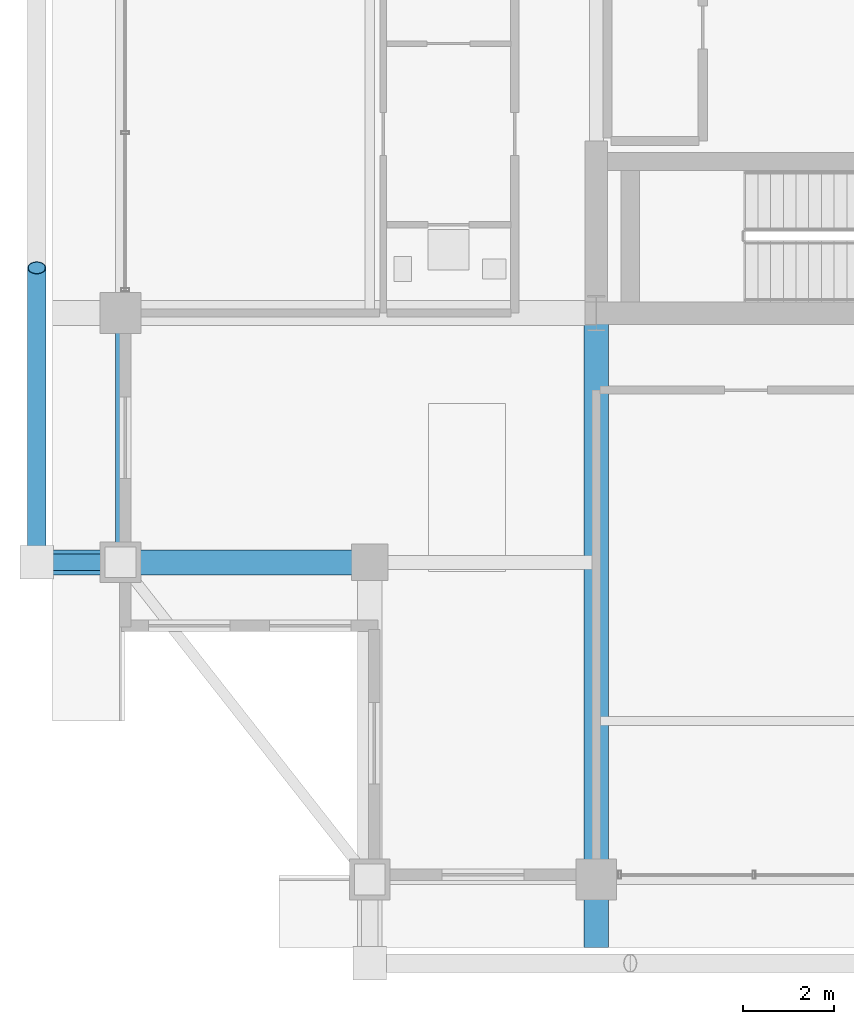
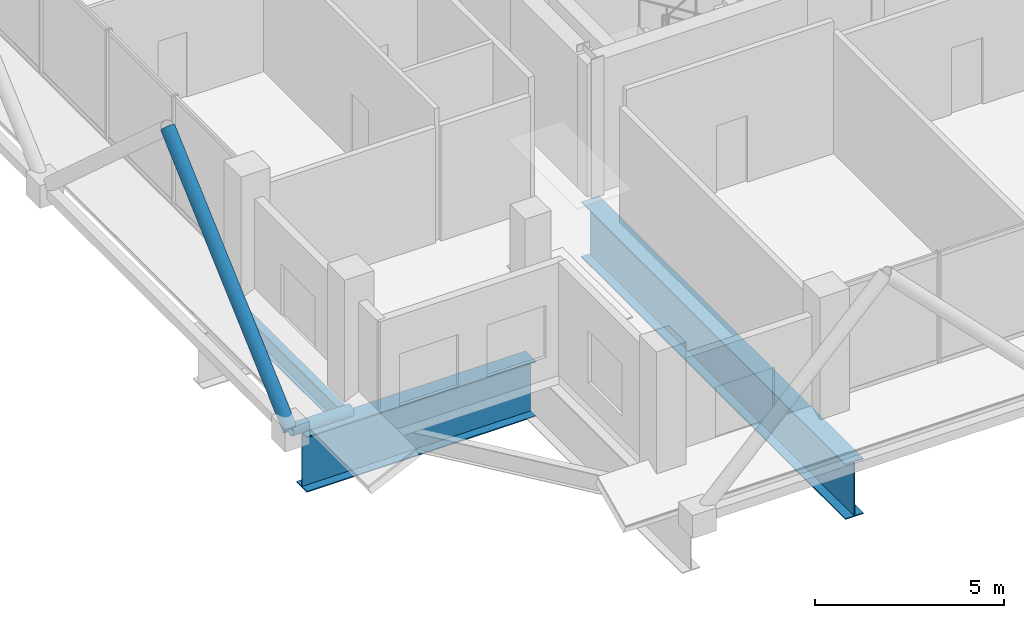
# One storey, part 3 of 27: 3 beams, 2 members.
"""IFC4 building model written with IfcOpenShell, lengths in metres."""

from ifc_helpers import new_model, si_unit, direction, frame, origin, origin_2d, place, context, subcontext, project, spatial, hollow_circle, i_section, extrude, material, material_profile, profile_set, type_object, element, save


model = new_model("IFC4")

# Units and contexts
model_context = context("Model", 3, precision=1e-05, world=origin(), true_north=direction((0.0, 1.0)))
body_context = subcontext(model_context, "Body", "Model", "MODEL_VIEW")
ifc_project = project(units=[si_unit("LENGTHUNIT", "METRE"), si_unit("AREAUNIT", "SQUARE_METRE"), si_unit("VOLUMEUNIT", "CUBIC_METRE"), si_unit("PLANEANGLEUNIT", "RADIAN"), si_unit("MASSUNIT", "GRAM", prefix="KILO")], contexts=[model_context])

# Site, building, storey
site_placement = place(None, origin())
site = spatial("IfcSite", under=ifc_project, at=site_placement, CompositionType="ELEMENT")
building_placement = place(site_placement, origin())
building = spatial("IfcBuilding", under=site, at=building_placement, Name="Barlavira Tower and Art Museum", CompositionType="ELEMENT")
storey_placement = place(building_placement, frame((0.0, 0.0, 217.800048828125)))
storey = spatial("IfcBuildingStorey", under=building, at=storey_placement, Name="L56", CompositionType="ELEMENT", Elevation=217.800048828125)

# Members
ifc_material = material(Name="Steel S355", Category="steel")
ifc_material_profile_1 = material_profile(ifc_material, hollow_circle(Radius=0.203125, WallThickness=0.01611328125, at=origin_2d()), Name="CHS 406.4x16.0")
ifc_profile_set_1 = profile_set([ifc_material_profile_1], Name="Steel S355")
member_type_1 = type_object("IfcMemberType", Name="Pale-Metal Exoskeleton Diagrid Tube CHS 406x16 Steel S355", PredefinedType="BRACE", material=ifc_profile_set_1)
member_1_placement = place(storey_placement, frame((-18.85009765625, -13.0, -0.1201171875), z_axis=(0.0, 0.743288593472, 0.668970901321), x_axis=(-1.0, 0.0, 0.0)))
element("IfcMember", 1, at=member_1_placement, inside=storey, type_object=member_type_1, Name="L56 Exoskeleton Diagrid Tube W", PredefinedType="BRACE", context=body_context, shape_type="SweptSolid", body=[
    extrude(hollow_circle(Radius=0.203125, WallThickness=0.01611328125, at=origin_2d()), origin(), (0.0, 0.0, 1.0), 8.744873046875),
])
ifc_material_profile_2 = material_profile(ifc_material, hollow_circle(Radius=0.177734375, WallThickness=0.01611328125, at=origin_2d()), Name="CHS 355.6x16.0")
ifc_profile_set_2 = profile_set([ifc_material_profile_2], Name="Steel S355")
member_type_2 = type_object("IfcMemberType", Name="Pale-Metal Exoskeleton Tie Strut CHS 356x16 Steel S355", PredefinedType="STRUT", material=ifc_profile_set_2)
member_2_placement = place(storey_placement, frame((-18.85009765625, -13.0, -0.1201171875), z_axis=(1.0, 0.0, 0.0), x_axis=(0.0, 1.0, 0.0)))
element("IfcMember", 2, at=member_2_placement, inside=storey, type_object=member_type_2, Name="L56 Exoskeleton Tie Strut W1", PredefinedType="STRUT", context=body_context, shape_type="SweptSolid", body=[
    extrude(hollow_circle(Radius=0.177734375, WallThickness=0.01611328125, at=origin_2d()), origin(), (0.0, 0.0, 1.0), 1.85009765625),
])

# Beams
ifc_material_profile_3 = material_profile(ifc_material, i_section(OverallWidth=0.22998046875, OverallDepth=0.616943359375, WebThickness=0.01318359375, FlangeThickness=0.022216796875, at=origin_2d()), Name="W610x140.0")
ifc_profile_set_3 = profile_set([ifc_material_profile_3], Name="Steel S355")
beam_type_1 = type_object("IfcBeamType", Name="Upper Shaft Spandrel Edge Beam W610x140 Steel S355", PredefinedType="SPANDREL", material=ifc_profile_set_3)
beam_1_placement = place(storey_placement, frame((-17.0, -13.0, -0.608642578125), z_axis=(0.0, 1.0, 0.0), x_axis=(-1.0, 0.0, 0.0)))
element("IfcBeam", 3, at=beam_1_placement, inside=storey, type_object=beam_type_1, Name="L56 Spandrel 15", PredefinedType="SPANDREL", context=body_context, shape_type="SweptSolid", body=[
    extrude(i_section(OverallWidth=0.22998046875, OverallDepth=0.616943359375, WebThickness=0.01318359375, FlangeThickness=0.022216796875, at=origin_2d()), origin(), (0.0, 0.0, 1.0), 5.5),
])
ifc_material_profile_4 = material_profile(ifc_material, i_section(OverallWidth=0.550048828125, OverallDepth=1.800048828125, WebThickness=0.02587890625, FlangeThickness=0.033935546875, at=origin_2d()), Name="CVS1800x520")
ifc_profile_set_4 = profile_set([ifc_material_profile_4], Name="Steel S355")
beam_type_2 = type_object("IfcBeamType", Name="Zone Setback Transfer Girder CVS1800x520 Steel S355", PredefinedType="USERDEFINED", material=ifc_profile_set_4)
beam_2_placement = place(storey_placement, frame((-6.5, -21.5, -1.199951171875), z_axis=(0.0, 1.0, 0.0), x_axis=(-1.0, 0.0, 0.0)))
element("IfcBeam", 4, at=beam_2_placement, inside=storey, type_object=beam_type_2, Name="L56 Setback Transfer Girder TGL56-02A", ObjectType="TRANSFER GIRDER", PredefinedType="USERDEFINED", context=body_context, shape_type="SweptSolid", body=[
    extrude(i_section(OverallWidth=0.550048828125, OverallDepth=1.800048828125, WebThickness=0.02587890625, FlangeThickness=0.033935546875, at=origin_2d()), origin(), (0.0, 0.0, 1.0), 14.0),
])
beam_3_placement = place(storey_placement, frame((-18.5, -13.0, -1.199951171875), z_axis=(1.0, 0.0, 0.0), x_axis=(0.0, 1.0, 0.0)))
element("IfcBeam", 5, at=beam_3_placement, inside=storey, type_object=beam_type_2, Name="L56 Setback Transfer Girder TGL56-07", ObjectType="TRANSFER GIRDER", PredefinedType="USERDEFINED", context=body_context, shape_type="SweptSolid", body=[
    extrude(i_section(OverallWidth=0.550048828125, OverallDepth=1.800048828125, WebThickness=0.02587890625, FlangeThickness=0.033935546875, at=origin_2d()), origin(), (0.0, 0.0, 1.0), 7.0),
])

save(model, "model.ifc")
